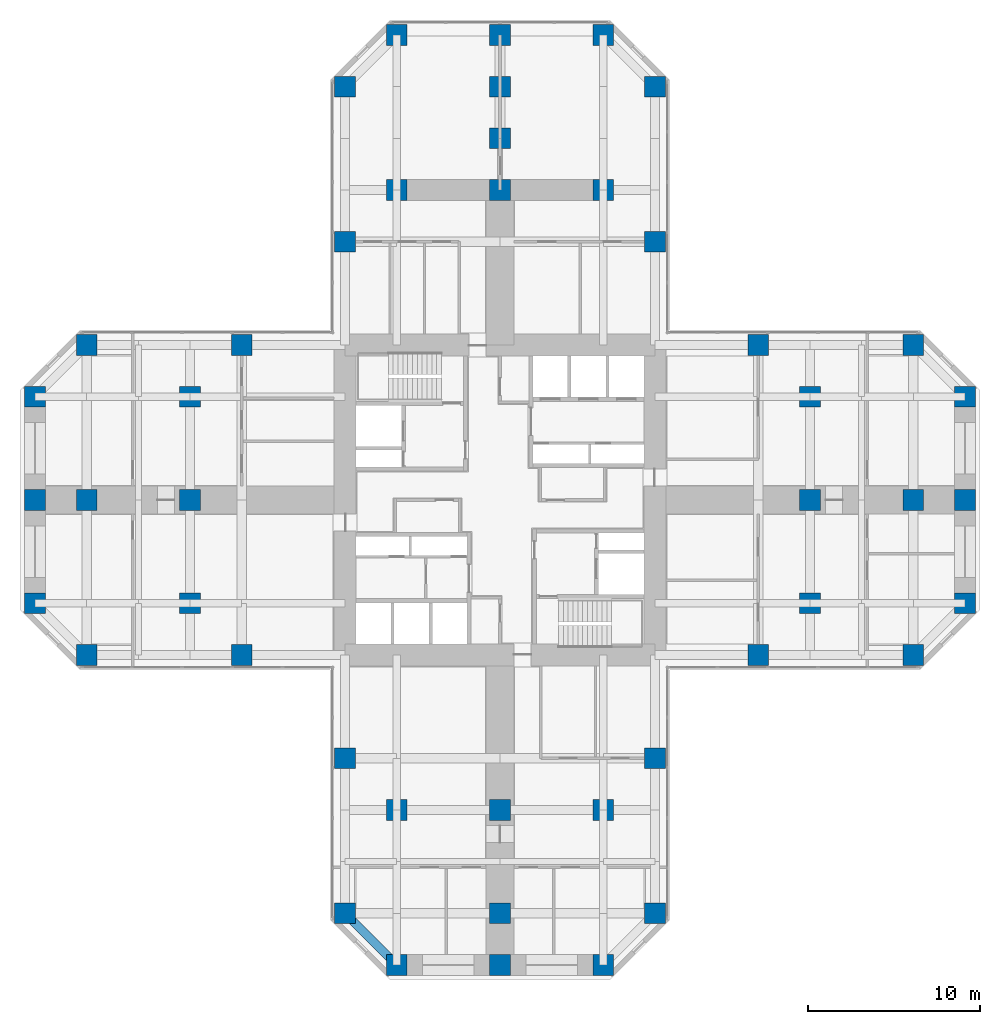
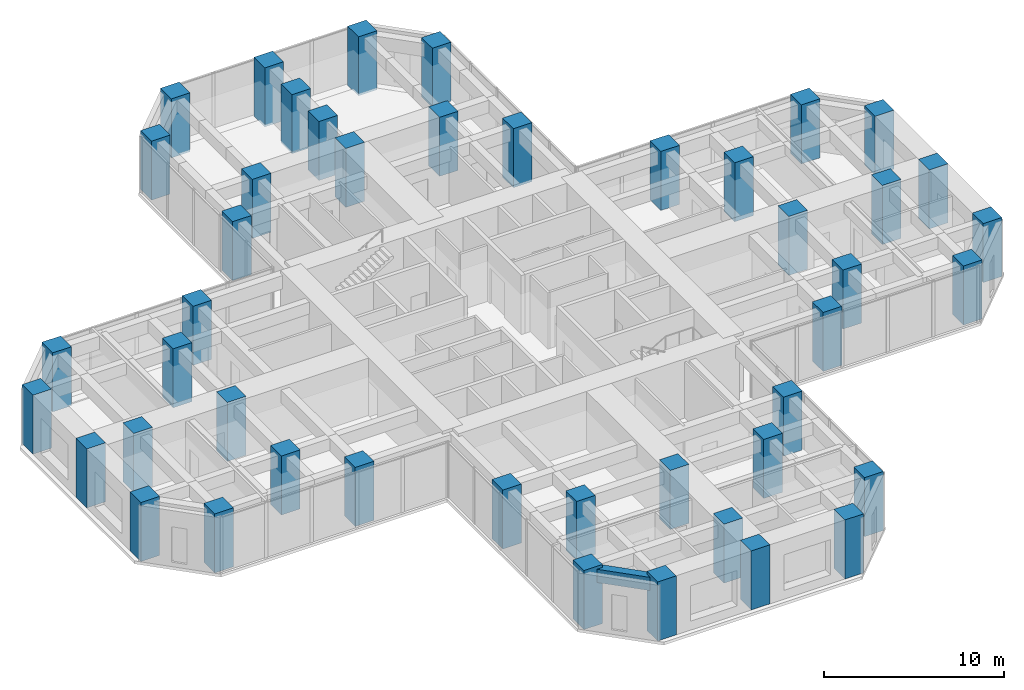
# One storey, part 1 of 13: 45 columns, 1 beam.
"""IFC4 building model written with IfcOpenShell, lengths in metres."""

import ifcopenshell
import ifcopenshell.guid

model = None  # the IFC model being written
_history = None  # IfcOwnerHistory: only IFC2X3 demands one
_inside = {}  # id of a spatial element -> (the spatial element, [elements in it])
_under = {}  # id of a project, library or spatial element -> (it, [spatial elements below it])
_declared = {}  # id of a project -> (the project, [libraries it declares])
_typed = {}  # id of a type object -> (the type object, [elements of that type])
_made_of = {}  # id of a material, layer set ... -> (it, [elements and type objects made of it])


def new_model(schema):
    """Start an empty IFC model of exactly this schema.

    Asked for "IFC4X3", IfcOpenShell would pick the latest addendum, in which some entities
    have other attributes; the version numbers below select the first issue.
    IFC2X3 requires an IfcOwnerHistory on every rooted entity: one is made here for all.
    """
    global model, _history
    if schema == "IFC4X3":
        model = ifcopenshell.file(schema_version=(4, 3, 0, 0))
    else:
        model = ifcopenshell.file(schema=schema)
    _inside.clear()
    _under.clear()
    _declared.clear()
    _typed.clear()
    _made_of.clear()
    _history = None
    if model.schema == "IFC2X3":
        org = make("IfcOrganization", Name="unknown")
        user = make(
            "IfcPersonAndOrganization",
            ThePerson=make("IfcPerson", FamilyName="unknown"),
            TheOrganization=org,
        )
        app = make(
            "IfcApplication",
            ApplicationDeveloper=org,
            Version="unknown",
            ApplicationFullName="unknown",
            ApplicationIdentifier="unknown",
        )
        _history = make(
            "IfcOwnerHistory",
            OwningUser=user,
            OwningApplication=app,
            ChangeAction="ADDED",
            CreationDate=0,
        )
    return model


def make(cls, **values):
    """One entity of the class cls with the attributes given. An attribute that is None is left unset."""
    return model.create_entity(
        cls, **{name: value for name, value in values.items() if value is not None}
    )


def rooted(cls, **values):
    """An entity with a GlobalId (a new one), such as an element, a storey or a relation."""
    return make(cls, GlobalId=ifcopenshell.guid.new(), OwnerHistory=_history, **values)


def si_unit(unit_type, name, prefix=None):
    """IfcSIUnit, for example si_unit("LENGTHUNIT", "METRE", prefix="MILLI")."""
    return make("IfcSIUnit", UnitType=unit_type, Prefix=prefix, Name=name)


def assignment(units):
    """IfcUnitAssignment: the units of a project."""
    return None if units is None else make("IfcUnitAssignment", Units=units)


def point(xyz):
    """IfcCartesianPoint."""
    return None if xyz is None else make("IfcCartesianPoint", Coordinates=xyz)


def direction(xyz):
    """IfcDirection."""
    return None if xyz is None else make("IfcDirection", DirectionRatios=xyz)


def frame(location, z_axis=None, x_axis=None):
    """IfcAxis2Placement3D, a coordinate frame: its origin and axes. An axis left out is left unset."""
    return make(
        "IfcAxis2Placement3D",
        Location=point(location),
        Axis=direction(z_axis),
        RefDirection=direction(x_axis),
    )


def frame_2d(location, x_axis=None):
    """IfcAxis2Placement2D, a coordinate frame in the plane: its origin and x axis."""
    return make(
        "IfcAxis2Placement2D", Location=point(location), RefDirection=direction(x_axis)
    )


def origin():
    """The frame at (0, 0, 0) with its axes left unset."""
    return frame((0.0, 0.0, 0.0))


def origin_2d():
    """The frame at (0, 0) in the plane with its x axis left unset."""
    return frame_2d((0.0, 0.0))


def place(relative_to, where):
    """IfcLocalPlacement: puts the frame where relative to a parent placement (None: the world)."""
    return make(
        "IfcLocalPlacement", PlacementRelTo=relative_to, RelativePlacement=where
    )


def context(
    kind, dimensions, precision=None, world=None, true_north=None, identifier=None
):
    """IfcGeometricRepresentationContext, for example the 3D "Model" context."""
    return make(
        "IfcGeometricRepresentationContext",
        ContextIdentifier=identifier,
        ContextType=kind,
        CoordinateSpaceDimension=dimensions,
        Precision=precision,
        WorldCoordinateSystem=world,
        TrueNorth=true_north,
    )


def subcontext(parent, identifier, kind, view, scale=None):
    """IfcGeometricRepresentationSubContext, for example "Body" below "Model"."""
    return make(
        "IfcGeometricRepresentationSubContext",
        ContextIdentifier=identifier,
        ContextType=kind,
        ParentContext=parent,
        TargetScale=scale,
        TargetView=view,
    )


def project(units=None, contexts=None):
    """IfcProject with its units and contexts."""
    return rooted(
        "IfcProject",
        Name="project",
        RepresentationContexts=contexts,
        UnitsInContext=assignment(units),
    )


def spatial(cls, under=None, at=None, **own):
    """A site, building, storey or space (cls), placed at a placement, below another one or the project."""
    s = rooted(cls, ObjectPlacement=at, **own)
    if under is not None:
        _under.setdefault(under.id(), (under, []))[1].append(s)
    return s


def profile(cls, at=None, kind="AREA", **sizes):
    """A parametric profile (cls). Its sizes go by their IFC names, for example OverallWidth=200.0."""
    return make(cls, ProfileType=kind, Position=at, **sizes)


def rectangle(**sizes):
    """IfcRectangleProfileDef."""
    return profile("IfcRectangleProfileDef", **sizes)


def extrude(swept, where, along, depth):
    """IfcExtrudedAreaSolid: the profile swept, set in the frame where, extruded along a direction by depth."""
    return make(
        "IfcExtrudedAreaSolid",
        SweptArea=swept,
        Position=where,
        ExtrudedDirection=direction(along),
        Depth=depth,
    )


def shape(context_of_items, identifier, shape_type, items):
    """IfcShapeRepresentation: the items that make up one representation, for example the "Body"."""
    return make(
        "IfcShapeRepresentation",
        ContextOfItems=context_of_items,
        RepresentationIdentifier=identifier,
        RepresentationType=shape_type,
        Items=items,
    )


def material(Name=None, Category=None):
    """IfcMaterial."""
    return make("IfcMaterial", Name=Name, Category=Category)


def material_profile(
    of_material, cross_section, Name=None, Category=None, Priority=None
):
    """IfcMaterialProfile: a cross section and its material."""
    return make(
        "IfcMaterialProfile",
        Name=Name,
        Material=of_material,
        Profile=cross_section,
        Priority=Priority,
        Category=Category,
    )


def profile_set(profiles, Name=None, composite=None):
    """IfcMaterialProfileSet."""
    return make(
        "IfcMaterialProfileSet",
        Name=Name,
        MaterialProfiles=profiles,
        CompositeProfile=composite,
    )


def made_of(thing, what):
    """Note that an element or type object is made of a material, layer set ...; save() writes the relation."""
    if what is not None:
        _made_of.setdefault(what.id(), (what, []))[1].append(thing)
    return thing


def type_object(cls, material=None, **own):
    """A type object (cls), such as IfcWallType, which elements share."""
    return made_of(rooted(cls, **own), material)


def element(
    cls,
    number,
    at=None,
    inside=None,
    cuts=None,
    type_object=None,
    material=None,
    context=None,
    identifier="Body",
    shape_type=None,
    held_by="IfcProductDefinitionShape",
    body=None,
    shapes=None,
    **own,
):
    """One element of the class cls, such as IfcWall. Its Tag is "e" and its number.

    at: its placement. inside: the storey or other place that contains it. cuts: it is an
    opening in that element (IfcRelVoidsElement). A single representation is given by context,
    identifier, shape_type and body (its items); several are given by shapes. held_by: the class
    of the entity that holds the representations. save() writes the other relations.
    """
    e = rooted(cls, Tag="e%d" % number, ObjectPlacement=at, **own)
    if body is not None:
        shapes = [shape(context, identifier, shape_type, body)]
    if shapes is not None:
        e.Representation = make(held_by, Representations=shapes)
    if inside is not None:
        _inside.setdefault(inside.id(), (inside, []))[1].append(e)
    if cuts is not None:
        rooted(
            "IfcRelVoidsElement", RelatingBuildingElement=cuts, RelatedOpeningElement=e
        )
    if type_object is not None:
        _typed.setdefault(type_object.id(), (type_object, []))[1].append(e)
    return made_of(e, material)


def aggregate(whole, parts):
    """IfcRelAggregates: a whole, such as a stair, and the parts it consists of."""
    return rooted("IfcRelAggregates", RelatingObject=whole, RelatedObjects=parts)


def save(model, path):
    """Write the relations noted so far, then the file.

    IfcRelAggregates (storeys below a building ...), IfcRelContainedInSpatialStructure (elements
    in a storey), IfcRelDefinesByType, IfcRelAssociatesMaterial and IfcRelDeclares: one each for
    every whole, place, type object, material and project.
    """
    for whole, parts in _under.values():
        aggregate(whole, parts)
    for where, things in _inside.values():
        rooted(
            "IfcRelContainedInSpatialStructure",
            RelatedElements=things,
            RelatingStructure=where,
        )
    for kind, things in _typed.values():
        rooted("IfcRelDefinesByType", RelatedObjects=things, RelatingType=kind)
    for what, things in _made_of.values():
        rooted("IfcRelAssociatesMaterial", RelatedObjects=things, RelatingMaterial=what)
    for by, libraries in _declared.values():
        rooted("IfcRelDeclares", RelatingContext=by, RelatedDefinitions=libraries)
    model.write(path)


model = new_model("IFC4")

# Units and contexts
model_context = context("Model", 3, precision=1e-05, world=origin(), true_north=direction((0.0, 1.0)))
body_context = subcontext(model_context, "Body", "Model", "MODEL_VIEW")
ifc_project = project(units=[si_unit("LENGTHUNIT", "METRE"), si_unit("AREAUNIT", "SQUARE_METRE"), si_unit("VOLUMEUNIT", "CUBIC_METRE"), si_unit("PLANEANGLEUNIT", "RADIAN"), si_unit("MASSUNIT", "GRAM", prefix="KILO")], contexts=[model_context])

# Site, building, storey
site_placement = place(None, origin())
site = spatial("IfcSite", under=ifc_project, at=site_placement, CompositionType="ELEMENT")
building_placement = place(site_placement, origin())
building = spatial("IfcBuilding", under=site, at=building_placement, Name="Torre Cruceta", CompositionType="ELEMENT")
storey_placement = place(building_placement, frame((0.0, 0.0, 27.5)))
storey = spatial("IfcBuildingStorey", under=building, at=storey_placement, Name="L06", CompositionType="ELEMENT", Elevation=27.5)

# Columns
ifc_material_1 = material(Name="Concrete G60 (fck 60 MPa)", Category="concrete")
ifc_material_profile_1 = material_profile(ifc_material_1, rectangle(XDim=1.199951171875, YDim=1.199951171875, at=origin_2d()), Name="RC 1200X1200")
ifc_profile_set_1 = profile_set([ifc_material_profile_1], Name="Concrete G60 (fck 60 MPa)")
column_type = type_object("IfcColumnType", Name="COLUMN RC 1200X1200", PredefinedType="COLUMN", material=ifc_profile_set_1)
for number, where, z_axis, x_axis, name in (
    (1, (9.0, 15.0, 0.0), (0.0, 0.0, 1.0), (1.0, 0.0, 0.0), "C3 L06 N side"),
    (2, (9.0, 24.0, 0.0), (0.0, 0.0, 1.0), (1.0, 0.0, 0.0), "C3 L06 N chamfer"),
    (3, (-9.0, 15.0, 0.0), (0.0, 0.0, 1.0), (1.0, 0.0, 0.0), "C3 L06 N side"),
    (4, (-9.0, 24.0, 0.0), (0.0, 0.0, 1.0), (1.0, 0.0, 0.0), "C3 L06 N chamfer"),
    (5, (6.0, 27.0, 0.0), (0.0, 0.0, 1.0), (1.0, 0.0, 0.0), "C3 L06 N tip"),
    (6, (0.0, 27.0, 0.0), (0.0, 0.0, 1.0), (1.0, 0.0, 0.0), "C3 L06 N tip"),
    (7, (-6.0, 27.0, 0.0), (0.0, 0.0, 1.0), (1.0, 0.0, 0.0), "C3 L06 N tip"),
    (8, (15.0, -9.0, 0.0), (0.0, 0.0, 1.0), (1.0, 0.0, 0.0), "C3 L06 E side"),
    (9, (24.0, -9.0, 0.0), (0.0, 0.0, 1.0), (1.0, 0.0, 0.0), "C3 L06 E chamfer"),
    (10, (15.0, 9.0, 0.0), (0.0, 0.0, 1.0), (1.0, 0.0, 0.0), "C3 L06 E side"),
    (11, (24.0, 9.0, 0.0), (0.0, 0.0, 1.0), (1.0, 0.0, 0.0), "C3 L06 E chamfer"),
    (12, (27.0, -6.0, 0.0), (0.0, 0.0, 1.0), (1.0, 0.0, 0.0), "C3 L06 E tip"),
    (13, (27.0, 0.0, 0.0), (0.0, 0.0, 1.0), (1.0, 0.0, 0.0), "C3 L06 E tip"),
    (14, (27.0, 6.0, 0.0), (0.0, 0.0, 1.0), (1.0, 0.0, 0.0), "C3 L06 E tip"),
    (15, (-9.0, -15.0, 0.0), (0.0, 0.0, 1.0), (1.0, 0.0, 0.0), "C3 L06 S side"),
    (16, (-9.0, -24.0, 0.0), (0.0, 0.0, 1.0), (1.0, 0.0, 0.0), "C3 L06 S chamfer"),
    (17, (9.0, -15.0, 0.0), (0.0, 0.0, 1.0), (1.0, 0.0, 0.0), "C3 L06 S side"),
    (18, (9.0, -24.0, 0.0), (0.0, 0.0, 1.0), (1.0, 0.0, 0.0), "C3 L06 S chamfer"),
    (19, (-6.0, -27.0, 0.0), (0.0, 0.0, 1.0), (1.0, 0.0, 0.0), "C3 L06 S tip"),
    (20, (0.0, -27.0, 0.0), (0.0, 0.0, 1.0), (1.0, 0.0, 0.0), "C3 L06 S tip"),
    (21, (6.0, -27.0, 0.0), (0.0, 0.0, 1.0), (1.0, 0.0, 0.0), "C3 L06 S tip"),
    (22, (-15.0, 9.0, 0.0), (0.0, 0.0, 1.0), (1.0, 0.0, 0.0), "C3 L06 W side"),
    (23, (-24.0, 9.0, 0.0), (0.0, 0.0, 1.0), (1.0, 0.0, 0.0), "C3 L06 W chamfer"),
    (24, (-15.0, -9.0, 0.0), (0.0, 0.0, 1.0), (1.0, 0.0, 0.0), "C3 L06 W side"),
    (25, (-24.0, -9.0, 0.0), (0.0, 0.0, 1.0), (1.0, 0.0, 0.0), "C3 L06 W chamfer"),
    (26, (-27.0, 6.0, 0.0), (0.0, 0.0, 1.0), (1.0, 0.0, 0.0), "C3 L06 W tip"),
    (27, (-27.0, 0.0, 0.0), (0.0, 0.0, 1.0), (1.0, 0.0, 0.0), "C3 L06 W tip"),
    (28, (-27.0, -6.0, 0.0), (0.0, 0.0, 1.0), (1.0, 0.0, 0.0), "C3 L06 W tip"),
    (29, (6.0, 18.0, 0.0), (0.0, 0.0, 1.0), (1.0, 0.0, 0.0), "C3 L06 N interior"),
    (30, (0.0, 18.0, 0.0), (0.0, 0.0, 1.0), (1.0, 0.0, 0.0), "C3 L06 N interior"),
    (31, (-6.0, 18.0, 0.0), (0.0, 0.0, 1.0), (1.0, 0.0, 0.0), "C3 L06 N interior"),
    (32, (0.0, 21.0, 0.0), (0.0, 0.0, 1.0), (1.0, 0.0, 0.0), "C3 L06 N interior"),
    (33, (0.0, 24.0, 0.0), (0.0, 0.0, 1.0), (1.0, 0.0, 0.0), "C3 L06 N interior"),
    (34, (18.0, -6.0, 0.0), (0.0, 0.0, 1.0), (1.0, 0.0, 0.0), "C3 L06 E interior"),
    (35, (18.0, 0.0, 0.0), (0.0, 0.0, 1.0), (1.0, 0.0, 0.0), "C3 L06 E interior"),
    (36, (18.0, 6.0, 0.0), (0.0, 0.0, 1.0), (1.0, 0.0, 0.0), "C3 L06 E interior"),
    (37, (24.0, 0.0, 0.0), (0.0, 0.0, 1.0), (1.0, 0.0, 0.0), "C3 L06 E interior"),
    (38, (-6.0, -18.0, 0.0), (0.0, 0.0, 1.0), (1.0, 0.0, 0.0), "C3 L06 S interior"),
    (39, (0.0, -18.0, 0.0), (0.0, 0.0, 1.0), (1.0, 0.0, 0.0), "C3 L06 S interior"),
    (40, (6.0, -18.0, 0.0), (0.0, 0.0, 1.0), (1.0, 0.0, 0.0), "C3 L06 S interior"),
    (41, (0.0, -24.0, 0.0), (0.0, 0.0, 1.0), (1.0, 0.0, 0.0), "C3 L06 S interior"),
    (42, (-18.0, 6.0, 0.0), (0.0, 0.0, 1.0), (1.0, 0.0, 0.0), "C3 L06 W interior"),
    (43, (-18.0, 0.0, 0.0), (0.0, 0.0, 1.0), (1.0, 0.0, 0.0), "C3 L06 W interior"),
    (44, (-18.0, -6.0, 0.0), (0.0, 0.0, 1.0), (1.0, 0.0, 0.0), "C3 L06 W interior"),
    (45, (-24.0, 0.0, 0.0), (0.0, 0.0, 1.0), (1.0, 0.0, 0.0), "C3 L06 W interior"),
):
    element("IfcColumn", number, at=place(storey_placement, frame(where, z_axis=z_axis, x_axis=x_axis)), inside=storey, type_object=column_type, Name=name, PredefinedType="COLUMN", context=body_context, shape_type="SweptSolid", body=[
        extrude(rectangle(XDim=1.199951171875, YDim=1.199951171875, at=origin_2d()), origin(), (0.0, 0.0, 1.0), 4.0),
    ])

# Beam
ifc_material_2 = material(Name="Concrete G60 (fck 60 MPa)", Category="concrete")
ifc_material_profile_2 = material_profile(ifc_material_2, rectangle(XDim=0.5, YDim=0.89990234375, at=origin_2d()), Name="RC 500X900")
ifc_profile_set_2 = profile_set([ifc_material_profile_2], Name="Concrete G60 (fck 60 MPa)")
beam_type = type_object("IfcBeamType", Name="SPANDREL BEAM RC 500X900", PredefinedType="SPANDREL", material=ifc_profile_set_2)
beam_placement = place(storey_placement, frame((-9.0, -24.0, 3.35009765625), z_axis=(0.707106781187, -0.707106781187, 0.0), x_axis=(0.707106781187, 0.707106781187, 0.0)))
element("IfcBeam", 46, at=beam_placement, inside=storey, type_object=beam_type, Name="SB4 L06 S side- 5", PredefinedType="SPANDREL", context=body_context, shape_type="SweptSolid", body=[
    extrude(rectangle(XDim=0.5, YDim=0.89990234375, at=origin_2d()), origin(), (0.0, 0.0, 1.0), 4.24267578125),
])

save(model, "model.ifc")
